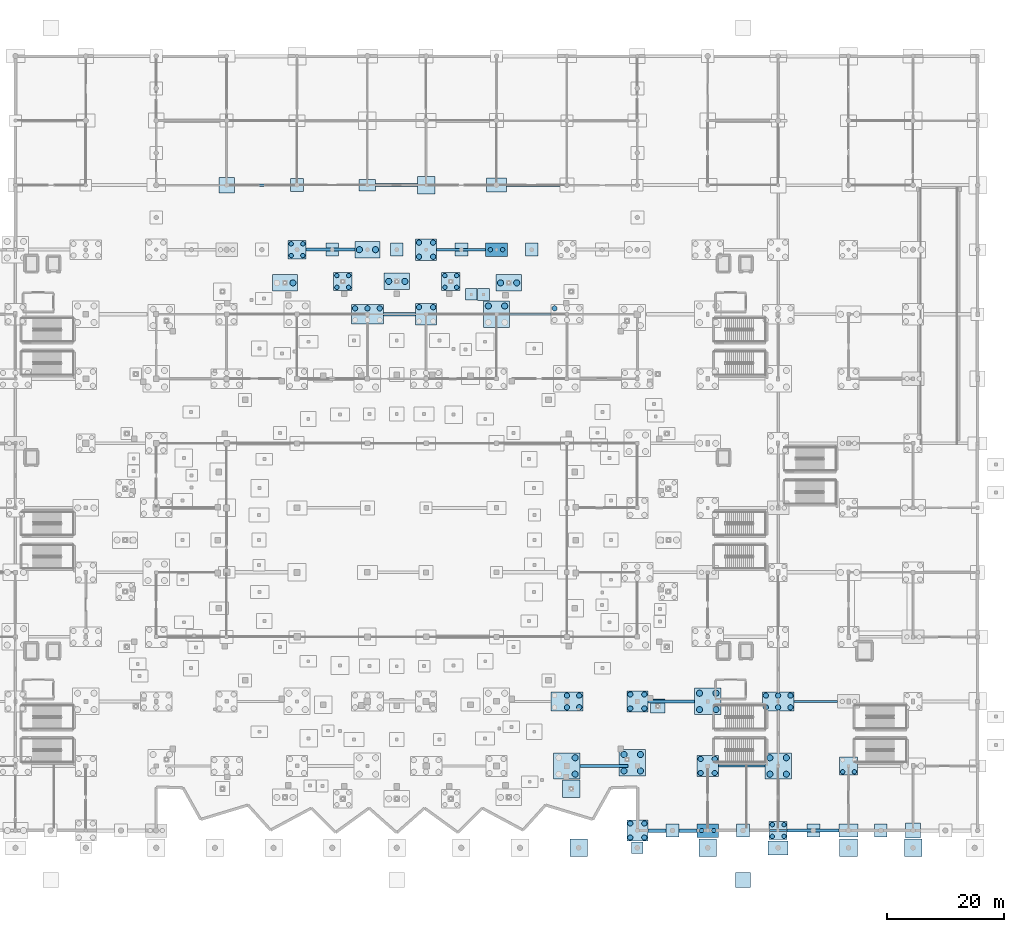
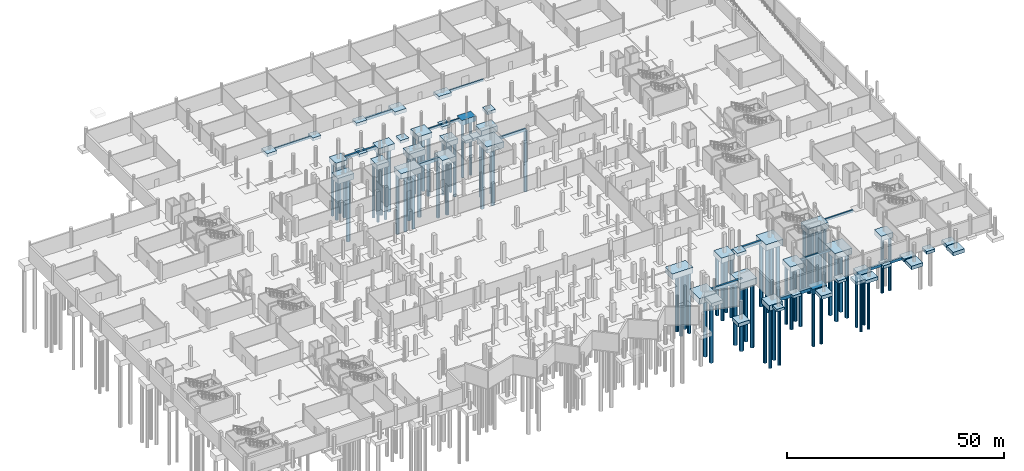
# One storey, part 5 of 60: 77 piles, 64 footings.
"""IFC4 building model written with IfcOpenShell, lengths in metres."""

from ifc_helpers import new_model, si_unit, direction, frame, origin, origin_2d, place, context, subcontext, project, spatial, rectangle, circle, extrude, material, material_profile, profile_set, type_object, element, save


model = new_model("IFC4")

# Units and contexts
model_context = context("Model", 3, precision=1e-05, world=origin(), true_north=direction((0.0, 1.0)))
body_context = subcontext(model_context, "Body", "Model", "MODEL_VIEW")
ifc_project = project(units=[si_unit("LENGTHUNIT", "METRE"), si_unit("AREAUNIT", "SQUARE_METRE"), si_unit("VOLUMEUNIT", "CUBIC_METRE"), si_unit("PLANEANGLEUNIT", "RADIAN"), si_unit("MASSUNIT", "GRAM", prefix="KILO")], contexts=[model_context])

# Site, building, storey
site_placement = place(None, origin())
site = spatial("IfcSite", under=ifc_project, at=site_placement, CompositionType="ELEMENT")
building_placement = place(site_placement, origin())
building = spatial("IfcBuilding", under=site, at=building_placement, Name="Luwafu Chhajja Arena", CompositionType="ELEMENT")
storey_placement = place(building_placement, frame((0.0, 0.0, -5.39990234375)))
storey = spatial("IfcBuildingStorey", under=building, at=storey_placement, Name="B1", CompositionType="ELEMENT", Elevation=-5.39990234375)

# Footings
ifc_material = material(Name="Concrete C35/45", Category="concrete")
footing_type_1 = type_object("IfcFootingType", Name="Arcade Corner Pad Footing PF-7", PredefinedType="PAD_FOOTING", material=ifc_material)
for number, where, z_axis, x_axis, name in (
    (1, (140.0, -2.949951171875, -0.75), (0.0, 0.0, 1.0), (1.0, 0.0, 0.0), "Pad footing PAD-131"),
    (2, (113.789794921875, 91.347412109375, -0.75), (0.0, 0.0, 1.0), (1.0, 0.0, 0.0), "Pad footing PAD-223"),
    (3, (111.6904296875, 91.398193359375, -0.75), (0.0, 0.0, 1.0), (1.0, 0.0, 0.0), "Pad footing PAD-224"),
):
    element("IfcFooting", number, at=place(storey_placement, frame(where, z_axis=z_axis, x_axis=x_axis)), inside=storey, type_object=footing_type_1, Name=name, PredefinedType="PAD_FOOTING", context=body_context, shape_type="SweptSolid", body=[
        extrude(rectangle(XDim=2.0, YDim=2.0, at=origin_2d()), origin(), (0.0, 0.0, 1.0), 0.75),
    ])
ifc_material_profile_1 = material_profile(ifc_material, rectangle(XDim=0.39990234375, YDim=0.60009765625, at=origin_2d()), Name="RC 400x600")
ifc_profile_set_1 = profile_set([ifc_material_profile_1], Name="Concrete C35/45")
footing_type_2 = type_object("IfcFootingType", Name="Arcade Plinth Tie Beam GB-4", PredefinedType="FOOTING_BEAM", material=ifc_profile_set_1)
footing_1_placement = place(storey_placement, frame((153.800048828125, 11.0, -0.300048828125), z_axis=(1.0, 0.0, 0.0), x_axis=(0.0, 1.0, 0.0)))
element("IfcFooting", 4, at=footing_1_placement, inside=storey, type_object=footing_type_2, Name="Ground tie beam GB-X-013", PredefinedType="FOOTING_BEAM", context=body_context, shape_type="SweptSolid", body=[
    extrude(rectangle(XDim=0.39990234375, YDim=0.60009765625, at=origin_2d()), origin(), (0.0, 0.0, 1.0), 7.949951171875),
])
footing_2_placement = place(storey_placement, frame((166.699951171875, 22.0, -0.300048828125), z_axis=(1.0, 0.0, 0.0), x_axis=(0.0, 1.0, 0.0)))
element("IfcFooting", 5, at=footing_2_placement, inside=storey, type_object=footing_type_2, Name="Ground tie beam GB-X-022", PredefinedType="FOOTING_BEAM", context=body_context, shape_type="SweptSolid", body=[
    extrude(rectangle(XDim=0.39990234375, YDim=0.60009765625, at=origin_2d()), origin(), (0.0, 0.0, 1.0), 7.449951171875),
])
footing_3_placement = place(storey_placement, frame((105.800048828125, 99.0, -0.300048828125), z_axis=(1.0, 0.0, 0.0), x_axis=(0.0, 1.0, 0.0)))
element("IfcFooting", 6, at=footing_3_placement, inside=storey, type_object=footing_type_2, Name="Ground tie beam GB-X-079", PredefinedType="FOOTING_BEAM", context=body_context, shape_type="SweptSolid", body=[
    extrude(rectangle(XDim=0.39990234375, YDim=0.60009765625, at=origin_2d()), origin(), (0.0, 0.0, 1.0), 8.349853515625),
])
footing_4_placement = place(storey_placement, frame((71.300048828125, 110.0, -0.300048828125), z_axis=(1.0, 0.0, 0.0), x_axis=(0.0, 1.0, 0.0)))
element("IfcFooting", 7, at=footing_4_placement, inside=storey, type_object=footing_type_2, Name="Ground tie beam GB-X-084", PredefinedType="FOOTING_BEAM", context=body_context, shape_type="SweptSolid", body=[
    extrude(rectangle(XDim=0.39990234375, YDim=0.60009765625, at=origin_2d()), origin(), (0.0, 0.0, 1.0), 9.599853515625),
])
footing_5_placement = place(storey_placement, frame((117.699951171875, 110.0, -0.300048828125), z_axis=(1.0, 0.0, 0.0), x_axis=(0.0, 1.0, 0.0)))
element("IfcFooting", 8, at=footing_5_placement, inside=storey, type_object=footing_type_2, Name="Ground tie beam GB-X-086", PredefinedType="FOOTING_BEAM", context=body_context, shape_type="SweptSolid", body=[
    extrude(rectangle(XDim=0.39990234375, YDim=0.60009765625, at=origin_2d()), origin(), (0.0, 0.0, 1.0), 9.10009765625),
])
footing_6_placement = place(storey_placement, frame((162.5, 0.0, -0.4501953125), z_axis=(1.0, 0.0, 0.0), x_axis=(0.0, 1.0, 0.0)))
element("IfcFooting", 9, at=footing_6_placement, inside=storey, type_object=footing_type_2, Name="B1 Movement Joint Wall Sill Tie Beam 04", PredefinedType="FOOTING_BEAM", context=body_context, shape_type="SweptSolid", body=[
    extrude(rectangle(XDim=0.39990234375, YDim=0.60009765625, at=origin_2d()), origin(), (0.0, 0.0, 1.0), 3.0),
])

# Piles
ifc_material_profile_2 = material_profile(ifc_material, circle(Radius=0.52490234375, at=origin_2d()), Name="PILE D1050")
ifc_profile_set_2 = profile_set([ifc_material_profile_2], Name="Concrete C35/45")
pile_type_1 = type_object("IfcPileType", Name="Bored Socketed Pile D1050", PredefinedType="BORED", material=ifc_profile_set_2)
for number, where, z_axis, x_axis, name in (
    (10, (137.72802734375, 10.154541015625, -1.60009765625), (0.0, 0.0, -1.0), (1.0, 0.0, 0.0), "Bored pile PIL-PC-3-004-1"),
    (11, (140.528076171875, 10.154541015625, -1.60009765625), (0.0, 0.0, -1.0), (1.0, 0.0, 0.0), "Bored pile PIL-PC-3-004-2"),
    (12, (137.72802734375, 12.95458984375, -1.60009765625), (0.0, 0.0, -1.0), (1.0, 0.0, 0.0), "Bored pile PIL-PC-3-004-3"),
    (13, (140.528076171875, 12.95458984375, -1.60009765625), (0.0, 0.0, -1.0), (1.0, 0.0, 0.0), "Bored pile PIL-PC-3-004-4"),
    (14, (92.625, 99.0, -1.5), (0.0, 0.0, -1.0), (1.0, 0.0, 0.0), "Bored pile PIL-PC-2-071-1"),
    (15, (95.375, 99.0, -1.5), (0.0, 0.0, -1.0), (1.0, 0.0, 0.0), "Bored pile PIL-PC-2-071-2"),
    (16, (114.60009765625, 89.39990234375, -1.60009765625), (0.0, 0.0, -1.0), (1.0, 0.0, 0.0), "Bored pile PIL-PC-3-080-3"),
    (17, (117.39990234375, 89.39990234375, -1.60009765625), (0.0, 0.0, -1.0), (1.0, 0.0, 0.0), "Bored pile PIL-PC-3-080-4"),
    (18, (129.39990234375, 9.60009765625, -1.60009765625), (0.0, 0.0, -1.0), (1.0, 0.0, 0.0), "Bored pile PIL-PC-3-082-2"),
    (19, (129.39990234375, 12.39990234375, -1.60009765625), (0.0, 0.0, -1.0), (1.0, 0.0, 0.0), "Bored pile PIL-PC-3-082-4"),
    (20, (150.60009765625, 20.60009765625, -1.60009765625), (0.0, 0.0, -1.0), (1.0, 0.0, 0.0), "Bored pile PIL-PC-3-097-1"),
    (21, (153.39990234375, 20.60009765625, -1.60009765625), (0.0, 0.0, -1.0), (1.0, 0.0, 0.0), "Bored pile PIL-PC-3-097-2"),
    (22, (150.60009765625, 23.39990234375, -1.60009765625), (0.0, 0.0, -1.0), (1.0, 0.0, 0.0), "Bored pile PIL-PC-3-097-3"),
    (23, (153.39990234375, 23.39990234375, -1.60009765625), (0.0, 0.0, -1.0), (1.0, 0.0, 0.0), "Bored pile PIL-PC-3-097-4"),
    (24, (162.60009765625, 9.60009765625, -1.60009765625), (0.0, 0.0, -1.0), (1.0, 0.0, 0.0), "Bored pile PIL-PC-3-106-1"),
    (25, (165.39990234375, 9.60009765625, -1.60009765625), (0.0, 0.0, -1.0), (1.0, 0.0, 0.0), "Bored pile PIL-PC-3-106-2"),
    (26, (162.60009765625, 12.39990234375, -1.60009765625), (0.0, 0.0, -1.0), (1.0, 0.0, 0.0), "Bored pile PIL-PC-3-106-3"),
    (27, (165.39990234375, 12.39990234375, -1.60009765625), (0.0, 0.0, -1.0), (1.0, 0.0, 0.0), "Bored pile PIL-PC-3-106-4"),
    (28, (116.692138671875, 93.3447265625, -1.5), (0.0, 0.0, -1.0), (1.0, 0.0, 0.0), "Bored pile PIL-PC-2-135-1"),
    (29, (119.442138671875, 93.3447265625, -1.5), (0.0, 0.0, -1.0), (1.0, 0.0, 0.0), "Bored pile PIL-PC-2-135-2"),
    (30, (97.625, 93.60009765625, -1.5), (0.0, 0.0, -1.0), (1.0, 0.0, 0.0), "Bored pile PIL-PC-2-137-1"),
    (31, (100.375, 93.60009765625, -1.5), (0.0, 0.0, -1.0), (1.0, 0.0, 0.0), "Bored pile PIL-PC-2-137-2"),
    (32, (81.307861328125, 93.3447265625, -1.5), (0.0, 0.0, -1.0), (1.0, 0.0, 0.0), "Bored pile PIL-PC-2-139-2"),
):
    element("IfcPile", number, at=place(storey_placement, frame(where, z_axis=z_axis, x_axis=x_axis)), inside=storey, type_object=pile_type_1, Name=name, PredefinedType="BORED", context=body_context, shape_type="SweptSolid", body=[
        extrude(circle(Radius=0.52490234375, at=origin_2d()), origin(), (0.0, 0.0, 1.0), 18.0),
    ])
ifc_material_profile_3 = material_profile(ifc_material, circle(Radius=0.375, at=origin_2d()), Name="PILE D750")
ifc_profile_set_3 = profile_set([ifc_material_profile_3], Name="Concrete C35/45")
pile_type_2 = type_object("IfcPileType", Name="Bored Socketed Pile D750", PredefinedType="BORED", material=ifc_profile_set_3)
for number, where, z_axis, x_axis, name in (
    (33, (81.0, 98.0, -1.300048828125), (0.0, 0.0, -1.0), (1.0, 0.0, 0.0), "Bored pile PIL-PC-4-066-1"),
    (34, (83.0, 98.0, -1.300048828125), (0.0, 0.0, -1.0), (1.0, 0.0, 0.0), "Bored pile PIL-PC-4-066-2"),
    (35, (81.0, 100.0, -1.300048828125), (0.0, 0.0, -1.0), (1.0, 0.0, 0.0), "Bored pile PIL-PC-4-066-3"),
    (36, (83.0, 100.0, -1.300048828125), (0.0, 0.0, -1.0), (1.0, 0.0, 0.0), "Bored pile PIL-PC-4-066-4"),
):
    element("IfcPile", number, at=place(storey_placement, frame(where, z_axis=z_axis, x_axis=x_axis)), inside=storey, type_object=pile_type_2, Name=name, PredefinedType="BORED", context=body_context, shape_type="SweptSolid", body=[
        extrude(circle(Radius=0.375, at=origin_2d()), origin(), (0.0, 0.0, 1.0), 15.0),
    ])
for number, where, z_axis, x_axis, name in (
    (37, (114.949951171875, 99.0, -1.35009765625), (0.0, 0.0, -1.0), (1.0, 0.0, 0.0), "Bored pile PIL-PC-6-081-1"),
    (38, (117.050048828125, 99.0, -1.35009765625), (0.0, 0.0, -1.0), (1.0, 0.0, 0.0), "Bored pile PIL-PC-6-081-2"),
    (39, (150.949951171875, 0.0, -1.35009765625), (0.0, 0.0, -1.0), (1.0, 0.0, 0.0), "Bored pile PIL-PC-6-095-1"),
    (40, (153.050048828125, 0.0, -1.35009765625), (0.0, 0.0, -1.0), (1.0, 0.0, 0.0), "Bored pile PIL-PC-6-095-2"),
):
    element("IfcPile", number, at=place(storey_placement, frame(where, z_axis=z_axis, x_axis=x_axis)), inside=storey, type_object=pile_type_2, Name=name, PredefinedType="BORED", context=body_context, shape_type="SweptSolid", body=[
        extrude(circle(Radius=0.375, at=origin_2d()), origin(), (0.0, 0.0, 1.0), 15.5),
    ])
for number, where, z_axis, x_axis, name in (
    (41, (163.0, -1.0, -1.300048828125), (0.0, 0.0, -1.0), (1.0, 0.0, 0.0), "Bored pile PIL-PC-4-105-1"),
    (42, (165.0, -1.0, -1.300048828125), (0.0, 0.0, -1.0), (1.0, 0.0, 0.0), "Bored pile PIL-PC-4-105-2"),
    (43, (163.0, 1.0, -1.300048828125), (0.0, 0.0, -1.0), (1.0, 0.0, 0.0), "Bored pile PIL-PC-4-105-3"),
    (44, (165.0, 1.0, -1.300048828125), (0.0, 0.0, -1.0), (1.0, 0.0, 0.0), "Bored pile PIL-PC-4-105-4"),
    (45, (175.0, 10.0, -1.300048828125), (0.0, 0.0, -1.0), (1.0, 0.0, 0.0), "Bored pile PIL-PC-4-115-1"),
    (46, (177.0, 10.0, -1.300048828125), (0.0, 0.0, -1.0), (1.0, 0.0, 0.0), "Bored pile PIL-PC-4-115-2"),
    (47, (107.207275390625, 92.588134765625, -1.300048828125), (0.0, 0.0, -1.0), (1.0, 0.0, 0.0), "Bored pile PIL-PC-4-136-1"),
    (48, (109.207275390625, 92.588134765625, -1.300048828125), (0.0, 0.0, -1.0), (1.0, 0.0, 0.0), "Bored pile PIL-PC-4-136-2"),
    (49, (107.207275390625, 94.588134765625, -1.300048828125), (0.0, 0.0, -1.0), (1.0, 0.0, 0.0), "Bored pile PIL-PC-4-136-3"),
    (50, (109.207275390625, 94.588134765625, -1.300048828125), (0.0, 0.0, -1.0), (1.0, 0.0, 0.0), "Bored pile PIL-PC-4-136-4"),
    (51, (88.792724609375, 92.588134765625, -1.300048828125), (0.0, 0.0, -1.0), (1.0, 0.0, 0.0), "Bored pile PIL-PC-4-138-1"),
    (52, (90.792724609375, 92.588134765625, -1.300048828125), (0.0, 0.0, -1.0), (1.0, 0.0, 0.0), "Bored pile PIL-PC-4-138-2"),
    (53, (88.792724609375, 94.588134765625, -1.300048828125), (0.0, 0.0, -1.0), (1.0, 0.0, 0.0), "Bored pile PIL-PC-4-138-3"),
    (54, (90.792724609375, 94.588134765625, -1.300048828125), (0.0, 0.0, -1.0), (1.0, 0.0, 0.0), "Bored pile PIL-PC-4-138-4"),
):
    element("IfcPile", number, at=place(storey_placement, frame(where, z_axis=z_axis, x_axis=x_axis)), inside=storey, type_object=pile_type_2, Name=name, PredefinedType="BORED", context=body_context, shape_type="SweptSolid", body=[
        extrude(circle(Radius=0.375, at=origin_2d()), origin(), (0.0, 0.0, 1.0), 15.0),
    ])
ifc_material_profile_4 = material_profile(ifc_material, circle(Radius=0.449951171875, at=origin_2d()), Name="PILE D900")
ifc_profile_set_4 = profile_set([ifc_material_profile_4], Name="Concrete C35/45")
pile_type_3 = type_object("IfcPileType", Name="Bored Socketed Pile D900", PredefinedType="BORED", material=ifc_profile_set_4)
for number, where, z_axis, x_axis, name in (
    (55, (91.89990234375, 89.0, -1.550048828125), (0.0, 0.0, -1.0), (1.0, 0.0, 0.0), "Bored pile PIL-PC-5-070-4"),
    (56, (94.0, 89.0, -1.550048828125), (0.0, 0.0, -1.0), (1.0, 0.0, 0.0), "Bored pile PIL-PC-5-070-5"),
    (57, (96.10009765625, 89.0, -1.550048828125), (0.0, 0.0, -1.0), (1.0, 0.0, 0.0), "Bored pile PIL-PC-5-070-6"),
):
    element("IfcPile", number, at=place(storey_placement, frame(where, z_axis=z_axis, x_axis=x_axis)), inside=storey, type_object=pile_type_3, Name=name, PredefinedType="BORED", context=body_context, shape_type="SweptSolid", body=[
        extrude(circle(Radius=0.449951171875, at=origin_2d()), origin(), (0.0, 0.0, 1.0), 17.0),
    ])
for number, where, z_axis, x_axis, name in (
    (58, (102.800048828125, 89.199951171875, -1.400146484375), (0.0, 0.0, -1.0), (1.0, 0.0, 0.0), "Bored pile PIL-PC-1-075-3"),
    (59, (105.199951171875, 89.199951171875, -1.400146484375), (0.0, 0.0, -1.0), (1.0, 0.0, 0.0), "Bored pile PIL-PC-1-075-4"),
    (60, (102.800048828125, 97.800048828125, -1.400146484375), (0.0, 0.0, -1.0), (1.0, 0.0, 0.0), "Bored pile PIL-PC-1-076-1"),
    (61, (105.199951171875, 97.800048828125, -1.400146484375), (0.0, 0.0, -1.0), (1.0, 0.0, 0.0), "Bored pile PIL-PC-1-076-2"),
    (62, (102.800048828125, 100.199951171875, -1.400146484375), (0.0, 0.0, -1.0), (1.0, 0.0, 0.0), "Bored pile PIL-PC-1-076-3"),
    (63, (105.199951171875, 100.199951171875, -1.400146484375), (0.0, 0.0, -1.0), (1.0, 0.0, 0.0), "Bored pile PIL-PC-1-076-4"),
):
    element("IfcPile", number, at=place(storey_placement, frame(where, z_axis=z_axis, x_axis=x_axis)), inside=storey, type_object=pile_type_3, Name=name, PredefinedType="BORED", context=body_context, shape_type="SweptSolid", body=[
        extrude(circle(Radius=0.449951171875, at=origin_2d()), origin(), (0.0, 0.0, 1.0), 16.5),
    ])
for number, where, z_axis, x_axis, name in (
    (64, (128.0, 21.0, -1.550048828125), (0.0, 0.0, -1.0), (1.0, 0.0, 0.0), "Bored pile PIL-PC-5-083-2"),
    (65, (130.10009765625, 21.0, -1.550048828125), (0.0, 0.0, -1.0), (1.0, 0.0, 0.0), "Bored pile PIL-PC-5-083-3"),
    (66, (128.0, 23.0, -1.550048828125), (0.0, 0.0, -1.0), (1.0, 0.0, 0.0), "Bored pile PIL-PC-5-083-5"),
    (67, (130.10009765625, 23.0, -1.550048828125), (0.0, 0.0, -1.0), (1.0, 0.0, 0.0), "Bored pile PIL-PC-5-083-6"),
    (68, (125.89990234375, 89.0, -1.550048828125), (0.0, 0.0, -1.0), (1.0, 0.0, 0.0), "Bored pile PIL-PC-5-085-4"),
):
    element("IfcPile", number, at=place(storey_placement, frame(where, z_axis=z_axis, x_axis=x_axis)), inside=storey, type_object=pile_type_3, Name=name, PredefinedType="BORED", context=body_context, shape_type="SweptSolid", body=[
        extrude(circle(Radius=0.449951171875, at=origin_2d()), origin(), (0.0, 0.0, 1.0), 17.0),
    ])
for number, where, z_axis, x_axis, name in (
    (69, (138.800048828125, -1.199951171875, -1.400146484375), (0.0, 0.0, -1.0), (1.0, 0.0, 0.0), "Bored pile PIL-PC-1-087-1"),
    (70, (141.199951171875, -1.199951171875, -1.400146484375), (0.0, 0.0, -1.0), (1.0, 0.0, 0.0), "Bored pile PIL-PC-1-087-2"),
    (71, (138.800048828125, 1.199951171875, -1.400146484375), (0.0, 0.0, -1.0), (1.0, 0.0, 0.0), "Bored pile PIL-PC-1-087-3"),
    (72, (141.199951171875, 1.199951171875, -1.400146484375), (0.0, 0.0, -1.0), (1.0, 0.0, 0.0), "Bored pile PIL-PC-1-087-4"),
    (73, (138.800048828125, 20.800048828125, -1.400146484375), (0.0, 0.0, -1.0), (1.0, 0.0, 0.0), "Bored pile PIL-PC-1-088-1"),
    (74, (141.199951171875, 20.800048828125, -1.400146484375), (0.0, 0.0, -1.0), (1.0, 0.0, 0.0), "Bored pile PIL-PC-1-088-2"),
    (75, (138.800048828125, 23.199951171875, -1.400146484375), (0.0, 0.0, -1.0), (1.0, 0.0, 0.0), "Bored pile PIL-PC-1-088-3"),
    (76, (141.199951171875, 23.199951171875, -1.400146484375), (0.0, 0.0, -1.0), (1.0, 0.0, 0.0), "Bored pile PIL-PC-1-088-4"),
    (77, (150.800048828125, 9.800048828125, -1.400146484375), (0.0, 0.0, -1.0), (1.0, 0.0, 0.0), "Bored pile PIL-PC-1-096-1"),
    (78, (153.199951171875, 9.800048828125, -1.400146484375), (0.0, 0.0, -1.0), (1.0, 0.0, 0.0), "Bored pile PIL-PC-1-096-2"),
    (79, (150.800048828125, 12.199951171875, -1.400146484375), (0.0, 0.0, -1.0), (1.0, 0.0, 0.0), "Bored pile PIL-PC-1-096-3"),
    (80, (153.199951171875, 12.199951171875, -1.400146484375), (0.0, 0.0, -1.0), (1.0, 0.0, 0.0), "Bored pile PIL-PC-1-096-4"),
):
    element("IfcPile", number, at=place(storey_placement, frame(where, z_axis=z_axis, x_axis=x_axis)), inside=storey, type_object=pile_type_3, Name=name, PredefinedType="BORED", context=body_context, shape_type="SweptSolid", body=[
        extrude(circle(Radius=0.449951171875, at=origin_2d()), origin(), (0.0, 0.0, 1.0), 16.5),
    ])
for number, where, z_axis, x_axis, name in (
    (81, (161.89990234375, 21.0, -1.550048828125), (0.0, 0.0, -1.0), (1.0, 0.0, 0.0), "Bored pile PIL-PC-5-107-1"),
    (82, (164.0, 21.0, -1.550048828125), (0.0, 0.0, -1.0), (1.0, 0.0, 0.0), "Bored pile PIL-PC-5-107-2"),
    (83, (166.10009765625, 21.0, -1.550048828125), (0.0, 0.0, -1.0), (1.0, 0.0, 0.0), "Bored pile PIL-PC-5-107-3"),
    (84, (161.89990234375, 23.0, -1.550048828125), (0.0, 0.0, -1.0), (1.0, 0.0, 0.0), "Bored pile PIL-PC-5-107-4"),
    (85, (164.0, 23.0, -1.550048828125), (0.0, 0.0, -1.0), (1.0, 0.0, 0.0), "Bored pile PIL-PC-5-107-5"),
    (86, (166.10009765625, 23.0, -1.550048828125), (0.0, 0.0, -1.0), (1.0, 0.0, 0.0), "Bored pile PIL-PC-5-107-6"),
):
    element("IfcPile", number, at=place(storey_placement, frame(where, z_axis=z_axis, x_axis=x_axis)), inside=storey, type_object=pile_type_3, Name=name, PredefinedType="BORED", context=body_context, shape_type="SweptSolid", body=[
        extrude(circle(Radius=0.449951171875, at=origin_2d()), origin(), (0.0, 0.0, 1.0), 17.0),
    ])

# Footings
footing_type_3 = type_object("IfcFootingType", Name="Charbagh Arcade Pad Footing PF-2", PredefinedType="PAD_FOOTING", material=ifc_material)
for number, where, z_axis, x_axis, name in (
    (87, (82.0, 110.0, -0.80029296875), (0.0, 0.0, 1.0), (1.0, 0.0, 0.0), "Pad footing PAD-027"),
    (88, (146.0, 0.0, -0.80029296875), (0.0, 0.0, 1.0), (1.0, 0.0, 0.0), "Pad footing PAD-100"),
    (89, (158.0, 0.0, -0.80029296875), (0.0, 0.0, 1.0), (1.0, 0.0, 0.0), "Pad footing PAD-101"),
    (90, (170.0, 0.0, -0.80029296875), (0.0, 0.0, 1.0), (1.0, 0.0, 0.0), "Pad footing PAD-102"),
    (91, (181.5, 0.0, -0.80029296875), (0.0, 0.0, 1.0), (1.0, 0.0, 0.0), "Pad footing PAD-103"),
    (92, (88.0, 99.0, -0.80029296875), (0.0, 0.0, 1.0), (1.0, 0.0, 0.0), "Pad footing PAD-107"),
    (93, (99.0, 99.0, -0.80029296875), (0.0, 0.0, 1.0), (1.0, 0.0, 0.0), "Pad footing PAD-108"),
    (94, (110.0, 99.0, -0.80029296875), (0.0, 0.0, 1.0), (1.0, 0.0, 0.0), "Pad footing PAD-109"),
    (95, (122.0, 99.0, -0.80029296875), (0.0, 0.0, 1.0), (1.0, 0.0, 0.0), "Pad footing PAD-110"),
):
    element("IfcFooting", number, at=place(storey_placement, frame(where, z_axis=z_axis, x_axis=x_axis)), inside=storey, type_object=footing_type_3, Name=name, PredefinedType="PAD_FOOTING", context=body_context, shape_type="SweptSolid", body=[
        extrude(rectangle(XDim=2.199951171875, YDim=2.199951171875, at=origin_2d()), origin(), (0.0, 0.0, 1.0), 0.800048828125),
    ])
footing_type_4 = type_object("IfcFootingType", Name="Colonnade Pad Footing PF-1", PredefinedType="PAD_FOOTING", material=ifc_material)
for number, where, z_axis, x_axis, name in (
    (96, (70.0, 110.0, -0.900146484375), (0.0, 0.0, 1.0), (1.0, 0.0, 0.0), "Pad footing PAD-020"),
    (97, (187.0, 0.0, -0.900146484375), (0.0, 0.0, 1.0), (1.0, 0.0, 0.0), "Pad footing PAD-071"),
    (98, (158.0, -8.449951171875, 4.050048828125), (0.0, 0.0, 1.0), (1.0, 0.0, 0.0), "Accessible Ramp RA-03 Toe Footing"),
):
    element("IfcFooting", number, at=place(storey_placement, frame(where, z_axis=z_axis, x_axis=x_axis)), inside=storey, type_object=footing_type_4, Name=name, PredefinedType="PAD_FOOTING", context=body_context, shape_type="SweptSolid", body=[
        extrude(rectangle(XDim=2.60009765625, YDim=2.60009765625, at=origin_2d()), origin(), (0.0, 0.0, 1.0), 0.89990234375),
    ])
footing_type_5 = type_object("IfcFootingType", Name="Forecourt Canopy Pad Footing PF-3", PredefinedType="PAD_FOOTING", material=ifc_material)
footing_7_placement = place(storey_placement, frame((94.0, 110.0, -0.85009765625), z_axis=(0.0, 0.0, 1.0), x_axis=(1.0, 0.0, 0.0)))
element("IfcFooting", 99, at=footing_7_placement, inside=storey, type_object=footing_type_5, Name="Pad footing PAD-034", PredefinedType="PAD_FOOTING", context=body_context, shape_type="SweptSolid", body=[
    extrude(rectangle(XDim=2.800048828125, YDim=2.0, at=origin_2d()), origin(), (0.0, 0.0, 1.0), 0.85009765625),
])
footing_type_6 = type_object("IfcFootingType", Name="Light Court Pad Footing PF-8", PredefinedType="PAD_FOOTING", material=ifc_material)
footing_8_placement = place(storey_placement, frame((176.0, 0.0, -0.900146484375), z_axis=(0.0, 0.0, 1.0), x_axis=(1.0, 0.0, 0.0)))
element("IfcFooting", 100, at=footing_8_placement, inside=storey, type_object=footing_type_6, Name="Pad footing PAD-067", PredefinedType="PAD_FOOTING", context=body_context, shape_type="SweptSolid", body=[
    extrude(rectangle(XDim=3.199951171875, YDim=2.199951171875, at=origin_2d()), origin(), (0.0, 0.0, 1.0), 0.89990234375),
])
footing_type_7 = type_object("IfcFootingType", Name="Pavilion Corner Pad Footing PF-4", PredefinedType="PAD_FOOTING", material=ifc_material)
for number, where, z_axis, x_axis, name in (
    (101, (104.0, 110.0, -1.0), (0.0, 0.0, 1.0), (1.0, 0.0, 0.0), "Pad footing PAD-041"),
    (102, (128.718017578125, 7.13720703125, -1.0), (0.0, 0.0, 1.0), (1.0, 0.0, 0.0), "Pad footing PAD-095"),
    (103, (130.0, -2.949951171875, -1.0), (0.0, 0.0, 1.0), (1.0, 0.0, 0.0), "Pad footing PAD-130"),
    (104, (152.0, -2.949951171875, -1.0), (0.0, 0.0, 1.0), (1.0, 0.0, 0.0), "Pad footing PAD-132"),
    (105, (176.0, -2.949951171875, -1.0), (0.0, 0.0, 1.0), (1.0, 0.0, 0.0), "Pad footing PAD-134"),
    (106, (187.0, -2.949951171875, -1.0), (0.0, 0.0, 1.0), (1.0, 0.0, 0.0), "Pad footing PAD-135"),
):
    element("IfcFooting", number, at=place(storey_placement, frame(where, z_axis=z_axis, x_axis=x_axis)), inside=storey, type_object=footing_type_7, Name=name, PredefinedType="PAD_FOOTING", context=body_context, shape_type="SweptSolid", body=[
        extrude(rectangle(XDim=3.0, YDim=3.0, at=origin_2d()), origin(), (0.0, 0.0, 1.0), 1.0),
    ])
ifc_material_profile_5 = material_profile(ifc_material, rectangle(XDim=0.449951171875, YDim=0.75, at=origin_2d()), Name="RC 450x750")
ifc_profile_set_5 = profile_set([ifc_material_profile_5], Name="Concrete C35/45")
footing_type_8 = type_object("IfcFootingType", Name="Perimeter Plinth Ground Beam GB-3", PredefinedType="FOOTING_BEAM", material=ifc_profile_set_5)
footing_9_placement = place(storey_placement, frame((165.550048828125, 0.0, -0.375), z_axis=(1.0, 0.0, 0.0), x_axis=(0.0, 1.0, 0.0)))
element("IfcFooting", 107, at=footing_9_placement, inside=storey, type_object=footing_type_8, Name="Ground tie beam GB-X-005", PredefinedType="FOOTING_BEAM", context=body_context, shape_type="SweptSolid", body=[
    extrude(rectangle(XDim=0.449951171875, YDim=0.75, at=origin_2d()), origin(), (0.0, 0.0, 1.0), 8.849853515625),
])
footing_10_placement = place(storey_placement, frame((118.25, 88.0, -0.375), z_axis=(1.0, 0.0, 0.0), x_axis=(0.0, 1.0, 0.0)))
element("IfcFooting", 108, at=footing_10_placement, inside=storey, type_object=footing_type_8, Name="Ground tie beam GB-X-071", PredefinedType="FOOTING_BEAM", context=body_context, shape_type="SweptSolid", body=[
    extrude(rectangle(XDim=0.449951171875, YDim=0.75, at=origin_2d()), origin(), (0.0, 0.0, 1.0), 7.050048828125),
])
ifc_material_profile_6 = material_profile(ifc_material, rectangle(XDim=0.60009765625, YDim=0.89990234375, at=origin_2d()), Name="RC 600x900")
ifc_profile_set_6 = profile_set([ifc_material_profile_6], Name="Concrete C35/45")
footing_type_9 = type_object("IfcFootingType", Name="Primary Ground Tie Beam GB-1", PredefinedType="FOOTING_BEAM", material=ifc_profile_set_6)
footing_11_placement = place(storey_placement, frame((141.800048828125, 0.0, -0.4501953125), z_axis=(1.0, 0.0, 0.0), x_axis=(0.0, 1.0, 0.0)))
element("IfcFooting", 109, at=footing_11_placement, inside=storey, type_object=footing_type_9, Name="Ground tie beam GB-X-004", PredefinedType="FOOTING_BEAM", context=body_context, shape_type="SweptSolid", body=[
    extrude(rectangle(XDim=0.60009765625, YDim=0.89990234375, at=origin_2d()), origin(), (0.0, 0.0, 1.0), 8.349853515625),
])
footing_12_placement = place(storey_placement, frame((96.699951171875, 88.0, -0.4501953125), z_axis=(1.0, 0.0, 0.0), x_axis=(0.0, 1.0, 0.0)))
element("IfcFooting", 110, at=footing_12_placement, inside=storey, type_object=footing_type_9, Name="Ground tie beam GB-X-070", PredefinedType="FOOTING_BEAM", context=body_context, shape_type="SweptSolid", body=[
    extrude(rectangle(XDim=0.60009765625, YDim=0.89990234375, at=origin_2d()), origin(), (0.0, 0.0, 1.0), 5.5),
])
footing_type_10 = type_object("IfcFootingType", Name="Raker Plinth Pad Footing PF-6", PredefinedType="PAD_FOOTING", material=ifc_material)
footing_13_placement = place(storey_placement, frame((143.47607421875, 21.194091796875, -0.85009765625), z_axis=(0.0, 0.0, 1.0), x_axis=(1.0, 0.0, 0.0)))
element("IfcFooting", 111, at=footing_13_placement, inside=storey, type_object=footing_type_10, Name="Pad footing PAD-096", PredefinedType="PAD_FOOTING", context=body_context, shape_type="SweptSolid", body=[
    extrude(rectangle(XDim=2.39990234375, YDim=2.39990234375, at=origin_2d()), origin(), (0.0, 0.0, 1.0), 0.85009765625),
])
footing_type_11 = type_object("IfcFootingType", Name="Ramp Toe Pad Footing PF-5", PredefinedType="PAD_FOOTING", material=ifc_material)
for number, where, z_axis, x_axis, name in (
    (112, (116.0, 110.0, -0.9501953125), (0.0, 0.0, 1.0), (1.0, 0.0, 0.0), "Pad footing PAD-048"),
    (113, (164.0, -2.949951171875, -0.9501953125), (0.0, 0.0, 1.0), (1.0, 0.0, 0.0), "Pad footing PAD-133"),
):
    element("IfcFooting", number, at=place(storey_placement, frame(where, z_axis=z_axis, x_axis=x_axis)), inside=storey, type_object=footing_type_11, Name=name, PredefinedType="PAD_FOOTING", context=body_context, shape_type="SweptSolid", body=[
        extrude(rectangle(XDim=3.39990234375, YDim=2.39990234375, at=origin_2d()), origin(), (0.0, 0.0, 1.0), 0.949951171875),
    ])
footing_type_12 = type_object("IfcFootingType", Name="Reinforced Concrete Pile Cap PC-1", PredefinedType="PILE_CAP", material=ifc_material)
for number, where, z_axis, x_axis, name in (
    (114, (104.0, 88.0, -1.5), (0.0, 0.0, 1.0), (1.0, 0.0, 0.0), "Pile cap PC-1 075"),
    (115, (104.0, 99.0, -1.5), (0.0, 0.0, 1.0), (1.0, 0.0, 0.0), "Pile cap PC-1 076"),
    (116, (140.0, 0.0, -1.5), (0.0, 0.0, 1.0), (1.0, 0.0, 0.0), "Pile cap PC-1 087"),
    (117, (140.0, 22.0, -1.5), (0.0, 0.0, 1.0), (1.0, 0.0, 0.0), "Pile cap PC-1 088"),
    (118, (152.0, 11.0, -1.5), (0.0, 0.0, 1.0), (1.0, 0.0, 0.0), "Pile cap PC-1 096"),
):
    element("IfcFooting", number, at=place(storey_placement, frame(where, z_axis=z_axis, x_axis=x_axis)), inside=storey, type_object=footing_type_12, Name=name, PredefinedType="PILE_CAP", context=body_context, shape_type="SweptSolid", body=[
        extrude(rectangle(XDim=3.60009765625, YDim=3.60009765625, at=origin_2d()), origin(), (0.0, 0.0, 1.0), 1.5),
    ])
footing_type_13 = type_object("IfcFootingType", Name="Reinforced Concrete Pile Cap PC-2", PredefinedType="PILE_CAP", material=ifc_material)
for number, where, z_axis, x_axis, name in (
    (119, (94.0, 99.0, -1.60009765625), (0.0, 0.0, 1.0), (1.0, 0.0, 0.0), "Pile cap PC-2 071"),
    (120, (118.067138671875, 93.3447265625, -1.60009765625), (0.0, 0.0, 1.0), (1.0, 0.0, 0.0), "Pile cap PC-2 135"),
    (121, (99.0, 93.60009765625, -1.60009765625), (0.0, 0.0, 1.0), (1.0, 0.0, 0.0), "Pile cap PC-2 137"),
    (122, (79.932861328125, 93.3447265625, -1.60009765625), (0.0, 0.0, 1.0), (1.0, 0.0, 0.0), "Pile cap PC-2 139"),
):
    element("IfcFooting", number, at=place(storey_placement, frame(where, z_axis=z_axis, x_axis=x_axis)), inside=storey, type_object=footing_type_13, Name=name, PredefinedType="PILE_CAP", context=body_context, shape_type="SweptSolid", body=[
        extrude(rectangle(XDim=4.300048828125, YDim=2.800048828125, at=origin_2d()), origin(), (0.0, 0.0, 1.0), 1.60009765625),
    ])
footing_type_14 = type_object("IfcFootingType", Name="Reinforced Concrete Pile Cap PC-3", PredefinedType="PILE_CAP", material=ifc_material)
for number, where, z_axis, x_axis, name in (
    (123, (139.128173828125, 11.5546875, -1.7001953125), (0.0, 0.0, 1.0), (1.0, 0.0, 0.0), "Pile cap PC-3 004"),
    (124, (116.0, 88.0, -1.7001953125), (0.0, 0.0, 1.0), (1.0, 0.0, 0.0), "Pile cap PC-3 080"),
    (125, (128.0, 11.0, -1.7001953125), (0.0, 0.0, 1.0), (1.0, 0.0, 0.0), "Pile cap PC-3 082"),
    (126, (152.0, 22.0, -1.7001953125), (0.0, 0.0, 1.0), (1.0, 0.0, 0.0), "Pile cap PC-3 097"),
    (127, (164.0, 11.0, -1.7001953125), (0.0, 0.0, 1.0), (1.0, 0.0, 0.0), "Pile cap PC-3 106"),
):
    element("IfcFooting", number, at=place(storey_placement, frame(where, z_axis=z_axis, x_axis=x_axis)), inside=storey, type_object=footing_type_14, Name=name, PredefinedType="PILE_CAP", context=body_context, shape_type="SweptSolid", body=[
        extrude(rectangle(XDim=4.5, YDim=4.5, at=origin_2d()), origin(), (0.0, 0.0, 1.0), 1.699951171875),
    ])
footing_type_15 = type_object("IfcFootingType", Name="Reinforced Concrete Pile Cap PC-4", PredefinedType="PILE_CAP", material=ifc_material)
for number, where, z_axis, x_axis, name in (
    (128, (82.0, 99.0, -1.400146484375), (0.0, 0.0, 1.0), (1.0, 0.0, 0.0), "Pile cap PC-4 066"),
    (129, (164.0, 0.0, -1.400146484375), (0.0, 0.0, 1.0), (1.0, 0.0, 0.0), "Pile cap PC-4 105"),
    (130, (176.0, 11.0, -1.400146484375), (0.0, 0.0, 1.0), (1.0, 0.0, 0.0), "Pile cap PC-4 115"),
    (131, (108.207275390625, 93.588134765625, -1.400146484375), (0.0, 0.0, 1.0), (1.0, 0.0, 0.0), "Pile cap PC-4 136"),
    (132, (89.792724609375, 93.588134765625, -1.400146484375), (0.0, 0.0, 1.0), (1.0, 0.0, 0.0), "Pile cap PC-4 138"),
):
    element("IfcFooting", number, at=place(storey_placement, frame(where, z_axis=z_axis, x_axis=x_axis)), inside=storey, type_object=footing_type_15, Name=name, PredefinedType="PILE_CAP", context=body_context, shape_type="SweptSolid", body=[
        extrude(rectangle(XDim=3.10009765625, YDim=3.10009765625, at=origin_2d()), origin(), (0.0, 0.0, 1.0), 1.39990234375),
    ])
footing_type_16 = type_object("IfcFootingType", Name="Reinforced Concrete Pile Cap PC-5", PredefinedType="PILE_CAP", material=ifc_material)
for number, where, z_axis, x_axis, name in (
    (133, (94.0, 88.0, -1.650146484375), (0.0, 0.0, 1.0), (1.0, 0.0, 0.0), "Pile cap PC-5 070"),
    (134, (128.0, 22.0, -1.650146484375), (0.0, 0.0, 1.0), (1.0, 0.0, 0.0), "Pile cap PC-5 083"),
    (135, (164.0, 22.0, -1.650146484375), (0.0, 0.0, 1.0), (1.0, 0.0, 0.0), "Pile cap PC-5 107"),
):
    element("IfcFooting", number, at=place(storey_placement, frame(where, z_axis=z_axis, x_axis=x_axis)), inside=storey, type_object=footing_type_16, Name=name, PredefinedType="PILE_CAP", context=body_context, shape_type="SweptSolid", body=[
        extrude(rectangle(XDim=5.39990234375, YDim=3.300048828125, at=origin_2d()), origin(), (0.0, 0.0, 1.0), 1.64990234375),
    ])
footing_type_17 = type_object("IfcFootingType", Name="Reinforced Concrete Pile Cap PC-6", PredefinedType="PILE_CAP", material=ifc_material)
for number, where, z_axis, x_axis, name in (
    (136, (116.0, 99.0, -1.4501953125), (0.0, 0.0, 1.0), (1.0, 0.0, 0.0), "Pile cap PC-6 081"),
    (137, (152.0, 0.0, -1.4501953125), (0.0, 0.0, 1.0), (1.0, 0.0, 0.0), "Pile cap PC-6 095"),
):
    element("IfcFooting", number, at=place(storey_placement, frame(where, z_axis=z_axis, x_axis=x_axis)), inside=storey, type_object=footing_type_17, Name=name, PredefinedType="PILE_CAP", context=body_context, shape_type="SweptSolid", body=[
        extrude(rectangle(XDim=3.699951171875, YDim=2.300048828125, at=origin_2d()), origin(), (0.0, 0.0, 1.0), 1.449951171875),
    ])
ifc_material_profile_7 = material_profile(ifc_material, rectangle(XDim=0.5, YDim=0.800048828125, at=origin_2d()), Name="RC 500x800")
ifc_profile_set_7 = profile_set([ifc_material_profile_7], Name="Concrete C35/45")
footing_type_18 = type_object("IfcFootingType", Name="Secondary Ground Tie Beam GB-2", PredefinedType="FOOTING_BEAM", material=ifc_profile_set_7)
footing_14_placement = place(storey_placement, frame((130.25, 11.0, -0.400146484375), z_axis=(1.0, 0.0, 0.0), x_axis=(0.0, 1.0, 0.0)))
element("IfcFooting", 138, at=footing_14_placement, inside=storey, type_object=footing_type_18, Name="Ground tie beam GB-X-012", PredefinedType="FOOTING_BEAM", context=body_context, shape_type="SweptSolid", body=[
    extrude(rectangle(XDim=0.5, YDim=0.800048828125, at=origin_2d()), origin(), (0.0, 0.0, 1.0), 8.14990234375),
])
footing_15_placement = place(storey_placement, frame((141.800048828125, 22.0, -0.400146484375), z_axis=(1.0, 0.0, 0.0), x_axis=(0.0, 1.0, 0.0)))
element("IfcFooting", 139, at=footing_15_placement, inside=storey, type_object=footing_type_18, Name="Ground tie beam GB-X-021", PredefinedType="FOOTING_BEAM", context=body_context, shape_type="SweptSolid", body=[
    extrude(rectangle(XDim=0.5, YDim=0.800048828125, at=origin_2d()), origin(), (0.0, 0.0, 1.0), 7.949951171875),
])
footing_16_placement = place(storey_placement, frame((83.550048828125, 99.0, -0.400146484375), z_axis=(1.0, 0.0, 0.0), x_axis=(0.0, 1.0, 0.0)))
element("IfcFooting", 140, at=footing_16_placement, inside=storey, type_object=footing_type_18, Name="Ground tie beam GB-X-078", PredefinedType="FOOTING_BEAM", context=body_context, shape_type="SweptSolid", body=[
    extrude(rectangle(XDim=0.5, YDim=0.800048828125, at=origin_2d()), origin(), (0.0, 0.0, 1.0), 8.300048828125),
])
footing_17_placement = place(storey_placement, frame((95.39990234375, 110.0, -0.400146484375), z_axis=(1.0, 0.0, 0.0), x_axis=(0.0, 1.0, 0.0)))
element("IfcFooting", 141, at=footing_17_placement, inside=storey, type_object=footing_type_18, Name="Ground tie beam GB-X-085", PredefinedType="FOOTING_BEAM", context=body_context, shape_type="SweptSolid", body=[
    extrude(rectangle(XDim=0.5, YDim=0.800048828125, at=origin_2d()), origin(), (0.0, 0.0, 1.0), 7.10009765625),
])

save(model, "model.ifc")
